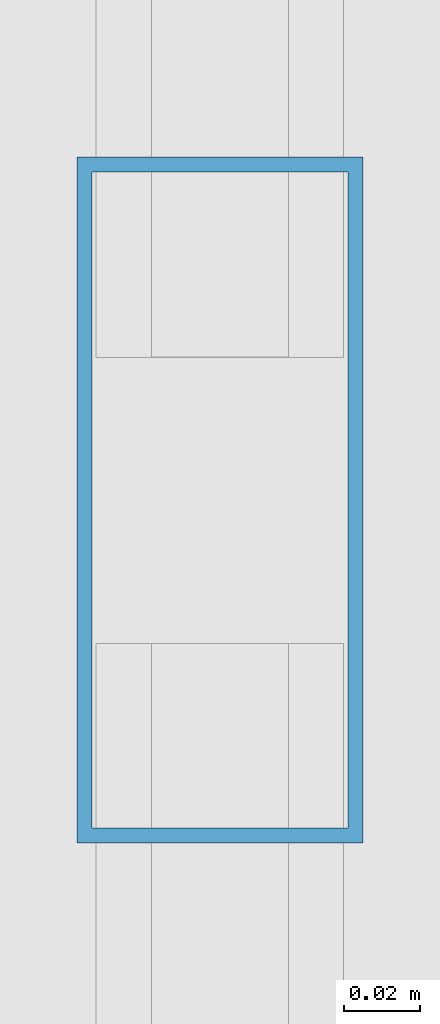
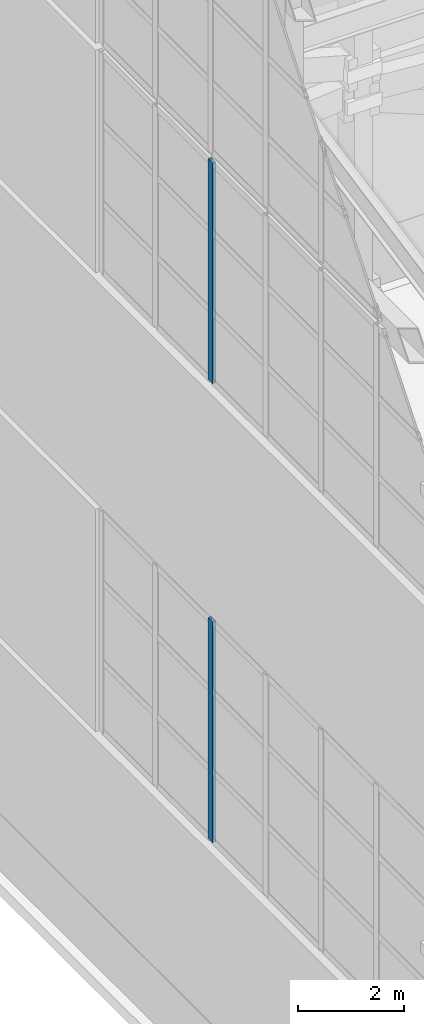
# One storey, part 14 of 47: 2 members, 2 elements without a shape of their own.
"""IFC4 building model written with IfcOpenShell, lengths in metres."""

from ifc_helpers import new_model, si_unit, direction, frame, origin, origin_2d, place, context, subcontext, project, spatial, hollow_rectangle, extrude, material, layer, layer_set, material_profile, profile_set, type_object, element, aggregate, save


model = new_model("IFC4")

# Units and contexts
model_context = context("Model", 3, precision=1e-05, world=origin(), true_north=direction((0.0, 1.0)))
body_context = subcontext(model_context, "Body", "Model", "MODEL_VIEW")
ifc_project = project(units=[si_unit("LENGTHUNIT", "METRE"), si_unit("AREAUNIT", "SQUARE_METRE"), si_unit("VOLUMEUNIT", "CUBIC_METRE"), si_unit("PLANEANGLEUNIT", "RADIAN"), si_unit("MASSUNIT", "GRAM", prefix="KILO")], contexts=[model_context])

# Site, building, storey
site_placement = place(None, origin())
site = spatial("IfcSite", under=ifc_project, at=site_placement, CompositionType="ELEMENT")
building_placement = place(site_placement, origin())
building = spatial("IfcBuilding", under=site, at=building_placement, Name="Qiaolan Cultural Towers", CompositionType="ELEMENT")
storey_placement = place(building_placement, frame((0.0, 0.0, 280.199951171875)))
storey = spatial("IfcBuildingStorey", under=building, at=storey_placement, Name="RF", CompositionType="ELEMENT", Elevation=280.199951171875)

# Curtain wall, member
ifc_material_1 = material(Name="Unitized Anodized Aluminium Curtain Wall System", Category="aluminium")
ifc_layer = layer(ifc_material_1, 0.199951171875)
ifc_layer_set = layer_set([ifc_layer], Name="Unitized Anodized Aluminium Curtain Wall System")
curtain_wall_type = type_object("IfcCurtainWallType", Name="CWS-06", PredefinedType="NOTDEFINED", material=ifc_layer_set)
curtain_wall_1_placement = place(storey_placement, origin())
curtain_wall_1 = element("IfcCurtainWall", 1, at=curtain_wall_1_placement, inside=storey, type_object=curtain_wall_type, Name="T1 Crown Tier 2 Fritted Screen Curtain Wall 7", PredefinedType="NOTDEFINED")
ifc_material_2 = material(Name="Extruded Aluminium 6063-T6", Category="aluminium")
ifc_material_profile = material_profile(ifc_material_2, hollow_rectangle(XDim=0.074951171875, YDim=0.179931640625, WallThickness=0.00390625, at=origin_2d()), Name="CWM-180x75x4")
ifc_profile_set = profile_set([ifc_material_profile], Name="Extruded Aluminium 6063-T6")
member_type = type_object("IfcMemberType", Name="CWS-06-MUL", PredefinedType="MULLION", material=ifc_profile_set)
member_1_placement = place(storey_placement, frame((14.949951171875, 36.090087890625, 5.400146484375), z_axis=(0.0, 0.0, 1.0), x_axis=(1.0, 0.0, 0.0)))
member_1 = element("IfcMember", 2, at=member_1_placement, type_object=member_type, Name="CW-6 mullion 3", PredefinedType="MULLION", context=body_context, shape_type="SweptSolid", body=[
    extrude(hollow_rectangle(XDim=0.074951171875, YDim=0.179931640625, WallThickness=0.00390625, at=origin_2d()), origin(), (0.0, 0.0, 1.0), 5.099853515625),
])
aggregate(curtain_wall_1, [member_1])

curtain_wall_2_placement = place(storey_placement, origin())
curtain_wall_2 = element("IfcCurtainWall", 3, at=curtain_wall_2_placement, inside=storey, type_object=curtain_wall_type, Name="T1 Crown Tier 4 Fritted Screen Curtain Wall 7", PredefinedType="NOTDEFINED")
member_2_placement = place(storey_placement, frame((14.949951171875, 36.090087890625, 16.0), z_axis=(0.0, 0.0, 1.0), x_axis=(1.0, 0.0, 0.0)))
member_2 = element("IfcMember", 4, at=member_2_placement, type_object=member_type, Name="CW-6 mullion 3", PredefinedType="MULLION", context=body_context, shape_type="SweptSolid", body=[
    extrude(hollow_rectangle(XDim=0.074951171875, YDim=0.179931640625, WallThickness=0.00390625, at=origin_2d()), origin(), (0.0, 0.0, 1.0), 5.10009765625),
])
aggregate(curtain_wall_2, [member_2])

save(model, "model.ifc")
